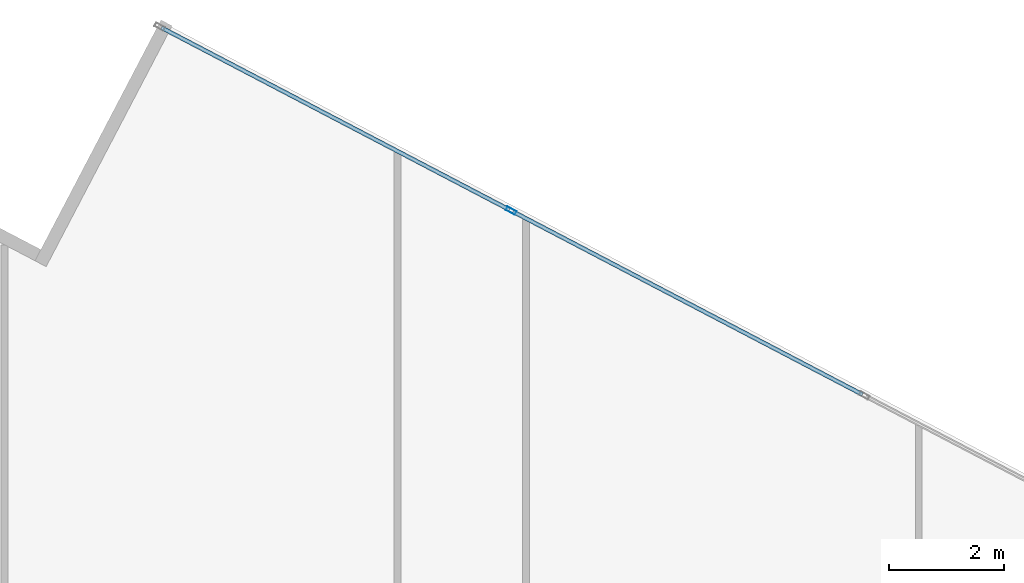
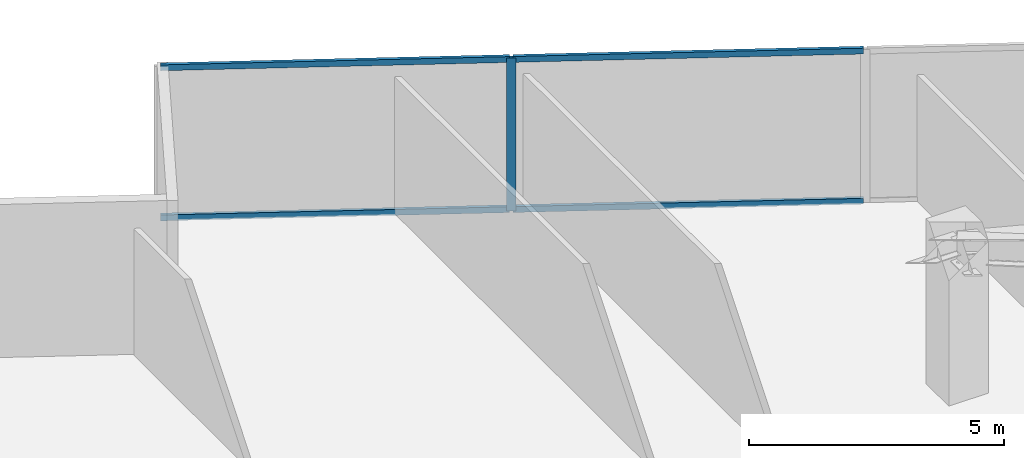
# One storey, part 17 of 27: 5 members, 1 element without a shape of its own.
"""IFC4 building model written with IfcOpenShell, lengths in metres."""

import ifcopenshell
import ifcopenshell.guid

model = None  # the IFC model being written
_history = None  # IfcOwnerHistory: only IFC2X3 demands one
_inside = {}  # id of a spatial element -> (the spatial element, [elements in it])
_under = {}  # id of a project, library or spatial element -> (it, [spatial elements below it])
_declared = {}  # id of a project -> (the project, [libraries it declares])
_typed = {}  # id of a type object -> (the type object, [elements of that type])
_made_of = {}  # id of a material, layer set ... -> (it, [elements and type objects made of it])


def new_model(schema):
    """Start an empty IFC model of exactly this schema.

    Asked for "IFC4X3", IfcOpenShell would pick the latest addendum, in which some entities
    have other attributes; the version numbers below select the first issue.
    IFC2X3 requires an IfcOwnerHistory on every rooted entity: one is made here for all.
    """
    global model, _history
    if schema == "IFC4X3":
        model = ifcopenshell.file(schema_version=(4, 3, 0, 0))
    else:
        model = ifcopenshell.file(schema=schema)
    _inside.clear()
    _under.clear()
    _declared.clear()
    _typed.clear()
    _made_of.clear()
    _history = None
    if model.schema == "IFC2X3":
        org = make("IfcOrganization", Name="unknown")
        user = make(
            "IfcPersonAndOrganization",
            ThePerson=make("IfcPerson", FamilyName="unknown"),
            TheOrganization=org,
        )
        app = make(
            "IfcApplication",
            ApplicationDeveloper=org,
            Version="unknown",
            ApplicationFullName="unknown",
            ApplicationIdentifier="unknown",
        )
        _history = make(
            "IfcOwnerHistory",
            OwningUser=user,
            OwningApplication=app,
            ChangeAction="ADDED",
            CreationDate=0,
        )
    return model


def make(cls, **values):
    """One entity of the class cls with the attributes given. An attribute that is None is left unset."""
    return model.create_entity(
        cls, **{name: value for name, value in values.items() if value is not None}
    )


def rooted(cls, **values):
    """An entity with a GlobalId (a new one), such as an element, a storey or a relation."""
    return make(cls, GlobalId=ifcopenshell.guid.new(), OwnerHistory=_history, **values)


def si_unit(unit_type, name, prefix=None):
    """IfcSIUnit, for example si_unit("LENGTHUNIT", "METRE", prefix="MILLI")."""
    return make("IfcSIUnit", UnitType=unit_type, Prefix=prefix, Name=name)


def assignment(units):
    """IfcUnitAssignment: the units of a project."""
    return None if units is None else make("IfcUnitAssignment", Units=units)


def point(xyz):
    """IfcCartesianPoint."""
    return None if xyz is None else make("IfcCartesianPoint", Coordinates=xyz)


def direction(xyz):
    """IfcDirection."""
    return None if xyz is None else make("IfcDirection", DirectionRatios=xyz)


def frame(location, z_axis=None, x_axis=None):
    """IfcAxis2Placement3D, a coordinate frame: its origin and axes. An axis left out is left unset."""
    return make(
        "IfcAxis2Placement3D",
        Location=point(location),
        Axis=direction(z_axis),
        RefDirection=direction(x_axis),
    )


def frame_2d(location, x_axis=None):
    """IfcAxis2Placement2D, a coordinate frame in the plane: its origin and x axis."""
    return make(
        "IfcAxis2Placement2D", Location=point(location), RefDirection=direction(x_axis)
    )


def origin():
    """The frame at (0, 0, 0) with its axes left unset."""
    return frame((0.0, 0.0, 0.0))


def origin_2d():
    """The frame at (0, 0) in the plane with its x axis left unset."""
    return frame_2d((0.0, 0.0))


def place(relative_to, where):
    """IfcLocalPlacement: puts the frame where relative to a parent placement (None: the world)."""
    return make(
        "IfcLocalPlacement", PlacementRelTo=relative_to, RelativePlacement=where
    )


def context(
    kind, dimensions, precision=None, world=None, true_north=None, identifier=None
):
    """IfcGeometricRepresentationContext, for example the 3D "Model" context."""
    return make(
        "IfcGeometricRepresentationContext",
        ContextIdentifier=identifier,
        ContextType=kind,
        CoordinateSpaceDimension=dimensions,
        Precision=precision,
        WorldCoordinateSystem=world,
        TrueNorth=true_north,
    )


def subcontext(parent, identifier, kind, view, scale=None):
    """IfcGeometricRepresentationSubContext, for example "Body" below "Model"."""
    return make(
        "IfcGeometricRepresentationSubContext",
        ContextIdentifier=identifier,
        ContextType=kind,
        ParentContext=parent,
        TargetScale=scale,
        TargetView=view,
    )


def project(units=None, contexts=None):
    """IfcProject with its units and contexts."""
    return rooted(
        "IfcProject",
        Name="project",
        RepresentationContexts=contexts,
        UnitsInContext=assignment(units),
    )


def spatial(cls, under=None, at=None, **own):
    """A site, building, storey or space (cls), placed at a placement, below another one or the project."""
    s = rooted(cls, ObjectPlacement=at, **own)
    if under is not None:
        _under.setdefault(under.id(), (under, []))[1].append(s)
    return s


def profile(cls, at=None, kind="AREA", **sizes):
    """A parametric profile (cls). Its sizes go by their IFC names, for example OverallWidth=200.0."""
    return make(cls, ProfileType=kind, Position=at, **sizes)


def hollow_rectangle(**sizes):
    """IfcRectangleHollowProfileDef."""
    return profile("IfcRectangleHollowProfileDef", **sizes)


def extrude(swept, where, along, depth):
    """IfcExtrudedAreaSolid: the profile swept, set in the frame where, extruded along a direction by depth."""
    return make(
        "IfcExtrudedAreaSolid",
        SweptArea=swept,
        Position=where,
        ExtrudedDirection=direction(along),
        Depth=depth,
    )


def shape(context_of_items, identifier, shape_type, items):
    """IfcShapeRepresentation: the items that make up one representation, for example the "Body"."""
    return make(
        "IfcShapeRepresentation",
        ContextOfItems=context_of_items,
        RepresentationIdentifier=identifier,
        RepresentationType=shape_type,
        Items=items,
    )


def source(mapping_origin, context_of_items, identifier, shape_type, items):
    """IfcRepresentationMap: a shape defined once, which mapped items show again and again."""
    return make(
        "IfcRepresentationMap",
        MappingOrigin=mapping_origin,
        MappedRepresentation=shape(context_of_items, identifier, shape_type, items),
    )


def transform(
    local_origin,
    x_axis=None,
    y_axis=None,
    z_axis=None,
    scale=None,
    scale2=None,
    scale3=None,
    uniform=True,
):
    """IfcCartesianTransformationOperator3D, or its non-uniform kind. x_axis, y_axis, z_axis: its Axis1, 2, 3."""
    if uniform:
        return make(
            "IfcCartesianTransformationOperator3D",
            Axis1=direction(x_axis),
            Axis2=direction(y_axis),
            LocalOrigin=point(local_origin),
            Scale=scale,
            Axis3=direction(z_axis),
        )
    return make(
        "IfcCartesianTransformationOperator3DnonUniform",
        Axis1=direction(x_axis),
        Axis2=direction(y_axis),
        LocalOrigin=point(local_origin),
        Scale=scale,
        Axis3=direction(z_axis),
        Scale2=scale2,
        Scale3=scale3,
    )


def mapped(mapping_source, mapping_target):
    """IfcMappedItem: shows the shape of a source again, moved by a transform."""
    return make(
        "IfcMappedItem", MappingSource=mapping_source, MappingTarget=mapping_target
    )


def material(Name=None, Category=None):
    """IfcMaterial."""
    return make("IfcMaterial", Name=Name, Category=Category)


def material_profile(
    of_material, cross_section, Name=None, Category=None, Priority=None
):
    """IfcMaterialProfile: a cross section and its material."""
    return make(
        "IfcMaterialProfile",
        Name=Name,
        Material=of_material,
        Profile=cross_section,
        Priority=Priority,
        Category=Category,
    )


def profile_set(profiles, Name=None, composite=None):
    """IfcMaterialProfileSet."""
    return make(
        "IfcMaterialProfileSet",
        Name=Name,
        MaterialProfiles=profiles,
        CompositeProfile=composite,
    )


def made_of(thing, what):
    """Note that an element or type object is made of a material, layer set ...; save() writes the relation."""
    if what is not None:
        _made_of.setdefault(what.id(), (what, []))[1].append(thing)
    return thing


def type_object(cls, material=None, **own):
    """A type object (cls), such as IfcWallType, which elements share."""
    return made_of(rooted(cls, **own), material)


def type_shapes(of_type, sources):
    """Give a type object the sources (RepresentationMaps) that its elements show as mapped items."""
    of_type.RepresentationMaps = sources


def element(
    cls,
    number,
    at=None,
    inside=None,
    cuts=None,
    type_object=None,
    material=None,
    context=None,
    identifier="Body",
    shape_type=None,
    held_by="IfcProductDefinitionShape",
    body=None,
    shapes=None,
    **own,
):
    """One element of the class cls, such as IfcWall. Its Tag is "e" and its number.

    at: its placement. inside: the storey or other place that contains it. cuts: it is an
    opening in that element (IfcRelVoidsElement). A single representation is given by context,
    identifier, shape_type and body (its items); several are given by shapes. held_by: the class
    of the entity that holds the representations. save() writes the other relations.
    """
    e = rooted(cls, Tag="e%d" % number, ObjectPlacement=at, **own)
    if body is not None:
        shapes = [shape(context, identifier, shape_type, body)]
    if shapes is not None:
        e.Representation = make(held_by, Representations=shapes)
    if inside is not None:
        _inside.setdefault(inside.id(), (inside, []))[1].append(e)
    if cuts is not None:
        rooted(
            "IfcRelVoidsElement", RelatingBuildingElement=cuts, RelatedOpeningElement=e
        )
    if type_object is not None:
        _typed.setdefault(type_object.id(), (type_object, []))[1].append(e)
    return made_of(e, material)


def aggregate(whole, parts):
    """IfcRelAggregates: a whole, such as a stair, and the parts it consists of."""
    return rooted("IfcRelAggregates", RelatingObject=whole, RelatedObjects=parts)


def save(model, path):
    """Write the relations noted so far, then the file.

    IfcRelAggregates (storeys below a building ...), IfcRelContainedInSpatialStructure (elements
    in a storey), IfcRelDefinesByType, IfcRelAssociatesMaterial and IfcRelDeclares: one each for
    every whole, place, type object, material and project.
    """
    for whole, parts in _under.values():
        aggregate(whole, parts)
    for where, things in _inside.values():
        rooted(
            "IfcRelContainedInSpatialStructure",
            RelatedElements=things,
            RelatingStructure=where,
        )
    for kind, things in _typed.values():
        rooted("IfcRelDefinesByType", RelatedObjects=things, RelatingType=kind)
    for what, things in _made_of.values():
        rooted("IfcRelAssociatesMaterial", RelatedObjects=things, RelatingMaterial=what)
    for by, libraries in _declared.values():
        rooted("IfcRelDeclares", RelatingContext=by, RelatedDefinitions=libraries)
    model.write(path)


model = new_model("IFC4")

# Units and contexts
model_context = context("Model", 3, precision=1e-05, world=origin(), true_north=direction((0.0, 1.0)))
body_context = subcontext(model_context, "Body", "Model", "MODEL_VIEW")
ifc_project = project(units=[si_unit("LENGTHUNIT", "METRE"), si_unit("AREAUNIT", "SQUARE_METRE"), si_unit("VOLUMEUNIT", "CUBIC_METRE"), si_unit("PLANEANGLEUNIT", "RADIAN"), si_unit("MASSUNIT", "GRAM", prefix="KILO")], contexts=[model_context])

# Site, building, storey
site_placement = place(None, origin())
site = spatial("IfcSite", under=ifc_project, at=site_placement, CompositionType="ELEMENT")
building_placement = place(site_placement, origin())
building = spatial("IfcBuilding", under=site, at=building_placement, Name="Krantzveldt Concourse Tower", CompositionType="ELEMENT")
storey_placement = place(building_placement, frame((0.0, 0.0, 154.10009765625)))
storey = spatial("IfcBuildingStorey", under=building, at=storey_placement, Name="L37", CompositionType="ELEMENT", Elevation=154.10009765625)

# Curtain wall, members
ifc_material = material(Name="Anodised aluminium 6063-T6", Category="aluminium")
curtain_wall_type = type_object("IfcCurtainWallType", Name="CW3", PredefinedType="USERDEFINED", material=ifc_material)
curtain_wall_placement = place(storey_placement, origin())
curtain_wall = element("IfcCurtainWall", 1, at=curtain_wall_placement, inside=storey, type_object=curtain_wall_type, Name="CW-L37-F10", ObjectType="UNITISED CURTAIN WALL", PredefinedType="USERDEFINED")
ifc_material_profile_1 = material_profile(ifc_material, hollow_rectangle(XDim=0.070068359375, YDim=0.179931640625, WallThickness=0.0048828125, at=origin_2d()), Name="Anodised aluminium 6063-T6", Category="aluminium")
ifc_profile_set_1 = profile_set([ifc_material_profile_1], Name="Anodised aluminium 6063-T6 - ALU-MULL 180x70x5")
member_type_1 = type_object("IfcMemberType", Name="CW-MUL-180", PredefinedType="MULLION", material=ifc_profile_set_1)
shared_shape_1 = source(origin(), body_context, "Body", "SweptSolid", [
    extrude(hollow_rectangle(XDim=0.070068359375, YDim=0.179931640625, WallThickness=0.0048828125, at=origin_2d()), origin(), (0.0, 0.0, 1.0), 3.669921875),
])
type_shapes(member_type_1, [shared_shape_1])
member_1_placement = place(storey_placement, frame((36.863037109375, 50.864501953125, 0.0), z_axis=(0.0, 0.0, 1.0), x_axis=(-0.463682819502, -0.886001265743, 0.0)))
member_1 = element("IfcMember", 2, at=member_1_placement, type_object=member_type_1, Name="CW-Z34 mullion 5", PredefinedType="MULLION", context=body_context, shape_type="MappedRepresentation", body=[
    mapped(shared_shape_1, transform((0.0, 0.0, 0.0), x_axis=(1.0, 0.0, 0.0), y_axis=(0.0, 1.0, 0.0), z_axis=(0.0, 0.0, 1.0), scale=1.0)),
])
ifc_material_profile_2 = material_profile(ifc_material, hollow_rectangle(XDim=0.070068359375, YDim=0.139892578125, WallThickness=0.0048828125, at=origin_2d()), Name="Anodised aluminium 6063-T6", Category="aluminium")
ifc_profile_set_2 = profile_set([ifc_material_profile_2], Name="Anodised aluminium 6063-T6 - ALU-TRAN 140x70x5")
member_type_2 = type_object("IfcMemberType", Name="CW-TRN-150", PredefinedType="USERDEFINED", material=ifc_profile_set_2)
shared_shape_2 = source(origin(), body_context, "Body", "SweptSolid", [
    extrude(hollow_rectangle(XDim=0.070068359375, YDim=0.139892578125, WallThickness=0.0048828125, at=origin_2d()), origin(), (0.0, 0.0, 1.0), 6.85498046875),
])
member_2_placement = place(storey_placement, frame((36.83203125, 50.880859375, 0.034912109375), z_axis=(-0.886004354252, 0.463676917957, 0.0), x_axis=(-0.463676917957, -0.886004354252, 0.0)))
member_2 = element("IfcMember", 3, at=member_2_placement, type_object=member_type_2, Name="CW-Z34 transom 5.1", ObjectType="TRANSOM", PredefinedType="USERDEFINED", context=body_context, shape_type="MappedRepresentation", body=[
    mapped(shared_shape_2, transform((0.0, 0.0, 0.0), x_axis=(1.0, 0.0, 0.0), y_axis=(0.0, 1.0, 0.0), z_axis=(0.0, 0.0, 1.0), scale=1.0)),
])
member_3_placement = place(storey_placement, frame((36.83203125, 50.880859375, 3.635009765625), z_axis=(-0.886004354252, 0.463676917957, 0.0), x_axis=(-0.463676917957, -0.886004354252, 0.0)))
member_3 = element("IfcMember", 4, at=member_3_placement, type_object=member_type_2, Name="CW-Z34 transom 5.2", ObjectType="TRANSOM", PredefinedType="USERDEFINED", context=body_context, shape_type="MappedRepresentation", body=[
    mapped(shared_shape_2, transform((0.0, 0.0, 0.0), x_axis=(1.0, 0.0, 0.0), y_axis=(0.0, 1.0, 0.0), z_axis=(0.0, 0.0, 1.0), scale=1.0)),
])
shared_shape_3 = source(origin(), body_context, "Body", "SweptSolid", [
    extrude(hollow_rectangle(XDim=0.070068359375, YDim=0.139892578125, WallThickness=0.0048828125, at=origin_2d()), origin(), (0.0, 0.0, 1.0), 6.889892578125),
])
type_shapes(member_type_2, [shared_shape_2, shared_shape_3])
member_4_placement = place(storey_placement, frame((42.99853515625, 47.653564453125, 0.034912109375), z_axis=(-0.885996544559, 0.46369184059, 0.0), x_axis=(-0.46369184059, -0.885996544559, 0.0)))
member_4 = element("IfcMember", 5, at=member_4_placement, type_object=member_type_2, Name="CW-Z34 transom 4.1", ObjectType="TRANSOM", PredefinedType="USERDEFINED", context=body_context, shape_type="MappedRepresentation", body=[
    mapped(shared_shape_3, transform((0.0, 0.0, 0.0), x_axis=(1.0, 0.0, 0.0), y_axis=(0.0, 1.0, 0.0), z_axis=(0.0, 0.0, 1.0), scale=1.0)),
])
member_5_placement = place(storey_placement, frame((42.99853515625, 47.653564453125, 3.635009765625), z_axis=(-0.885996544559, 0.46369184059, 0.0), x_axis=(-0.46369184059, -0.885996544559, 0.0)))
member_5 = element("IfcMember", 6, at=member_5_placement, type_object=member_type_2, Name="CW-Z34 transom 4.2", ObjectType="TRANSOM", PredefinedType="USERDEFINED", context=body_context, shape_type="MappedRepresentation", body=[
    mapped(shared_shape_3, transform((0.0, 0.0, 0.0), x_axis=(1.0, 0.0, 0.0), y_axis=(0.0, 1.0, 0.0), z_axis=(0.0, 0.0, 1.0), scale=1.0)),
])
aggregate(curtain_wall, [member_1, member_4, member_5, member_2, member_3])

save(model, "model.ifc")
